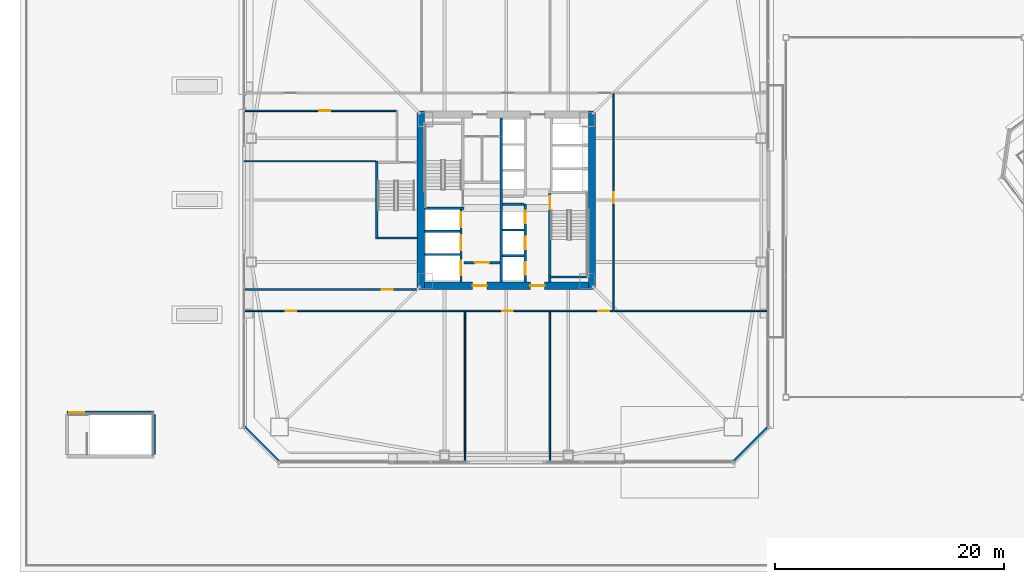
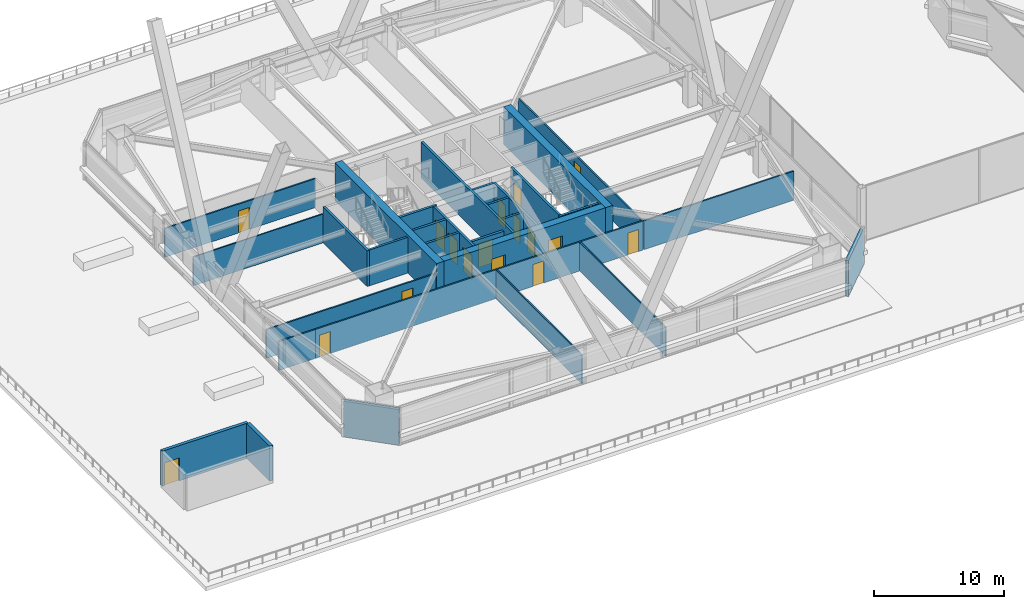
# One storey, part 68 of 83: 30 walls, 17 doors, 17 openings.
"""IFC4 building model written with IfcOpenShell, lengths in metres."""

from ifc_helpers import new_model, si_unit, direction, frame, frame_2d, origin, place, context, subcontext, project, spatial, rectangle, extrude, material, layer, layer_set, type_object, element, fill, save


model = new_model("IFC4")

# Units and contexts
model_context = context("Model", 3, precision=1e-05, world=origin(), true_north=direction((0.0, 1.0)))
body_context = subcontext(model_context, "Body", "Model", "MODEL_VIEW")
ifc_project = project(units=[si_unit("LENGTHUNIT", "METRE"), si_unit("AREAUNIT", "SQUARE_METRE"), si_unit("VOLUMEUNIT", "CUBIC_METRE"), si_unit("PLANEANGLEUNIT", "RADIAN"), si_unit("MASSUNIT", "GRAM", prefix="KILO")], contexts=[model_context])

# Site, building, storey
site_placement = place(None, origin())
site = spatial("IfcSite", under=ifc_project, at=site_placement, CompositionType="ELEMENT")
building_placement = place(site_placement, origin())
building = spatial("IfcBuilding", under=site, at=building_placement, Name="Tashvorn Skyway Center", CompositionType="ELEMENT")
storey_placement = place(building_placement, frame((0.0, 0.0, 24.60009765625)))
storey = spatial("IfcBuildingStorey", under=building, at=storey_placement, Name="L05", CompositionType="ELEMENT", Elevation=24.60009765625)

# Walls
ifc_material_1 = material(Name="Concrete C60/75", Category="concrete")
ifc_layer_1 = layer(ifc_material_1, 0.64990234375)
ifc_layer_set_1 = layer_set([ifc_layer_1], Name="Concrete C60/75")
wall_type_1 = type_object("IfcWallType", Name="WALL-CORE-650", PredefinedType="SHEAR", material=ifc_layer_set_1)
for number, where, z_axis, x_axis, name in (
    (1, (34.52490234375, 24.199951171875, 0.0), (0.0, 0.0, 1.0), (0.0, 1.0, 0.0), "Tower 1 L05 West Core Shear Wall"),
    (2, (49.47509765625, 39.800048828125, 0.0), (0.0, 0.0, 1.0), (0.0, -1.0, 0.0), "Tower 1 L05 East Core Shear Wall"),
):
    element("IfcWall", number, at=place(storey_placement, frame(where, z_axis=z_axis, x_axis=x_axis)), inside=storey, type_object=wall_type_1, Name=name, PredefinedType="SHEAR", context=body_context, shape_type="SweptSolid", body=[
        extrude(rectangle(XDim=15.60009765625, YDim=0.64990234375, at=frame_2d((7.800048828125, 0.0))), origin(), (0.0, 0.0, 1.0), 3.5498046875),
    ])

# Wall, openings, doors
wall_1_placement = place(storey_placement, frame((49.14990234375, 24.52490234375, 0.0), z_axis=(0.0, 0.0, 1.0), x_axis=(-1.0, 0.0, 0.0)))
wall_1 = element("IfcWall", 3, at=wall_1_placement, inside=storey, type_object=wall_type_1, Name="Tower 1 L05 South Core Shear Wall", PredefinedType="SHEAR", context=body_context, shape_type="SweptSolid", body=[
    extrude(rectangle(XDim=14.2998046875, YDim=0.64990234375, at=frame_2d((7.14990234375, 0.0))), origin(), (0.0, 0.0, 1.0), 3.5498046875),
])
opening_1_placement = place(wall_1_placement, frame((8.85009765625, 0.0, 0.0)))
opening_1 = element("IfcOpeningElement", 4, at=opening_1_placement, cuts=wall_1, Name="Opening D-FFL-1250", PredefinedType="OPENING", context=body_context, shape_type="SweptSolid", body=[
    extrude(rectangle(XDim=1.25, YDim=2.25, at=frame_2d((0.625, 1.125))), frame((0.0, 0.3349609375, 0.0), z_axis=(0.0, -1.0, 0.0), x_axis=(1.0, 0.0, 0.0)), (0.0, 0.0, 1.0), 0.669921875),
])
opening_2_placement = place(wall_1_placement, frame((3.800048828125, 0.0, 0.0)))
opening_2 = element("IfcOpeningElement", 5, at=opening_2_placement, cuts=wall_1, Name="Opening D-FFL-1250", PredefinedType="OPENING", context=body_context, shape_type="SweptSolid", body=[
    extrude(rectangle(XDim=1.25, YDim=2.25, at=frame_2d((0.625, 1.125))), frame((0.0, 0.3349609375, 0.0), z_axis=(0.0, -1.0, 0.0), x_axis=(1.0, 0.0, 0.0)), (0.0, 0.0, 1.0), 0.669921875),
])
ifc_material_2 = material(Name="Hollow galvanized steel fire door assembly", Category="steel")
door_type_1 = type_object("IfcDoorType", Name="DOOR-FFL-1250", OperationType="NOTDEFINED", PredefinedType="DOOR", material=ifc_material_2)
door_1_placement = place(opening_1_placement, origin())
door_1 = element("IfcDoor", 6, at=door_1_placement, inside=storey, type_object=door_type_1, Name="Tower 1 L05 Core South Firefighting Exit Door", OperationType="SINGLE_SWING_LEFT", OverallHeight=2.25, OverallWidth=1.25, PredefinedType="DOOR", context=body_context, shape_type="SweptSolid", body=[
    extrude(rectangle(XDim=1.25, YDim=2.25, at=frame_2d((0.625, 1.125))), frame((0.0, 0.02490234375, 0.0), z_axis=(0.0, -1.0, 0.0), x_axis=(1.0, 0.0, 0.0)), (0.0, 0.0, 1.0), 0.050048828125),
])
fill(opening_1, door_1)
door_2_placement = place(opening_2_placement, origin())
door_2 = element("IfcDoor", 7, at=door_2_placement, inside=storey, type_object=door_type_1, Name="Tower 1 L05 Core South Lift Lobby Door", OperationType="SINGLE_SWING_RIGHT", OverallHeight=2.25, OverallWidth=1.25, PredefinedType="DOOR", context=body_context, shape_type="SweptSolid", body=[
    extrude(rectangle(XDim=1.25, YDim=2.25, at=frame_2d((0.625, 1.125))), frame((0.0, 0.02490234375, 0.0), z_axis=(0.0, -1.0, 0.0), x_axis=(1.0, 0.0, 0.0)), (0.0, 0.0, 1.0), 0.050048828125),
])
fill(opening_2, door_2)

# Walls
ifc_material_3 = material(Name="Precast concrete C40/50", Category="concrete")
ifc_layer_2 = layer(ifc_material_3, 0.280029296875)
ifc_layer_set_2 = layer_set([ifc_layer_2], Name="Precast concrete C40/50")
wall_type_2 = type_object("IfcWallType", Name="WALL-EXT-280", PredefinedType="SOLIDWALL", material=ifc_layer_set_2)
for number, where, z_axis, x_axis, name in (
    (8, (22.199951171875, 9.10009765625, 0.0), (0.0, 0.0, 1.0), (-0.707106781187, 0.707106781187, 0.0), "Tower 1 L05 SW Precast Chamfer Wall"),
    (9, (64.89990234375, 12.199951171875, 0.0), (0.0, 0.0, 1.0), (-0.707106781187, -0.707106781187, 0.0), "Tower 1 L05 SE Precast Chamfer Wall"),
):
    element("IfcWall", number, at=place(storey_placement, frame(where, z_axis=z_axis, x_axis=x_axis)), inside=storey, type_object=wall_type_2, Name=name, PredefinedType="SOLIDWALL", context=body_context, shape_type="SweptSolid", body=[
        extrude(rectangle(XDim=4.3837890625, YDim=0.280029296875, at=frame_2d((2.19189453125, 0.0))), origin(), (0.0, 0.0, 1.0), 3.349853515625),
    ])

# Wall, opening, door
ifc_material_4 = material(Name="Concrete C40/50", Category="concrete")
ifc_layer_3 = layer(ifc_material_4, 0.219970703125)
ifc_layer_set_3 = layer_set([ifc_layer_3], Name="Concrete C40/50")
wall_type_3 = type_object("IfcWallType", Name="WALL-FFL-220", PredefinedType="SOLIDWALL", material=ifc_layer_set_3)
wall_2_placement = place(storey_placement, frame((38.300048828125, 26.5400390625, 0.0), z_axis=(0.0, 0.0, 1.0), x_axis=(1.0, 0.0, 0.0)))
wall_2 = element("IfcWall", 10, at=wall_2_placement, inside=storey, type_object=wall_type_3, Name="Tower 1 L05 Firefighting Lobby South Wall", PredefinedType="SOLIDWALL", context=body_context, shape_type="SweptSolid", body=[
    extrude(rectangle(XDim=3.14990234375, YDim=0.219970703125, at=frame_2d((1.574951171875, 0.0))), origin(), (0.0, 0.0, 1.0), 2.702880859375),
])
opening_3_placement = place(wall_2_placement, frame((0.949951171875, 0.0, 0.0)))
opening_3 = element("IfcOpeningElement", 11, at=opening_3_placement, cuts=wall_2, Name="Opening D-FFL-1250", PredefinedType="OPENING", context=body_context, shape_type="SweptSolid", body=[
    extrude(rectangle(XDim=1.25, YDim=2.25, at=frame_2d((0.625, 1.125))), frame((0.0, 0.119873046875, 0.0), z_axis=(0.0, -1.0, 0.0), x_axis=(1.0, 0.0, 0.0)), (0.0, 0.0, 1.0), 0.239990234375),
])
door_3_placement = place(opening_3_placement, origin())
door_3 = element("IfcDoor", 12, at=door_3_placement, inside=storey, type_object=door_type_1, Name="Tower 1 L05 Firefighting Lobby Egress Door", OperationType="SINGLE_SWING_LEFT", OverallHeight=2.25, OverallWidth=1.25, PredefinedType="DOOR", context=body_context, shape_type="SweptSolid", body=[
    extrude(rectangle(XDim=1.25, YDim=2.25, at=frame_2d((0.625, 1.125))), frame((0.0, 0.02490234375, 0.0), z_axis=(0.0, -1.0, 0.0), x_axis=(1.0, 0.0, 0.0)), (0.0, 0.0, 1.0), 0.050048828125),
])
fill(opening_3, door_3)

# Walls
ifc_material_5 = material(Name="Gypsum board on cold-formed steel stud framing", Category="steel")
ifc_layer_4 = layer(ifc_material_5, 0.110107421875)
ifc_layer_set_4 = layer_set([ifc_layer_4], Name="Gypsum board on cold-formed steel stud framing")
wall_type_4 = type_object("IfcWallType", Name="WALL-PART-110", PredefinedType="PARTITIONING", material=ifc_layer_set_4)
for number, where, z_axis, x_axis, name in (
    (13, (38.39990234375, 9.1201171875, 0.0), (0.0, 0.0, 1.0), (0.0, 1.0, 0.0), "Tower 1 L05 South Suite Partition 1"),
    (14, (45.800048828125, 9.1201171875, 0.0), (0.0, 0.0, 1.0), (0.0, 1.0, 0.0), "Tower 1 L05 South Suite Partition 2"),
):
    element("IfcWall", number, at=place(storey_placement, frame(where, z_axis=z_axis, x_axis=x_axis)), inside=storey, type_object=wall_type_4, Name=name, PredefinedType="PARTITIONING", context=body_context, shape_type="SweptSolid", body=[
        extrude(rectangle(XDim=13.1298828125, YDim=0.110107421875, at=frame_2d((6.56494140625, 0.0))), origin(), (0.0, 0.0, 1.0), 2.702880859375),
    ])
wall_3_placement = place(storey_placement, frame((30.60009765625, 35.39990234375, 0.0), z_axis=(0.0, 0.0, 1.0), x_axis=(-1.0, 0.0, 0.0)))
element("IfcWall", 15, at=wall_3_placement, inside=storey, type_object=wall_type_4, Name="Tower 1 L05 West Suite Partition 1", PredefinedType="PARTITIONING", context=body_context, shape_type="SweptSolid", body=[
    extrude(rectangle(XDim=11.47998046875, YDim=0.110107421875, at=frame_2d((5.739990234375, 0.0))), origin(), (0.0, 0.0, 1.0), 2.702880859375),
])

# Wall, openings, doors
ifc_layer_5 = layer(ifc_material_5, 0.135009765625)
ifc_layer_set_5 = layer_set([ifc_layer_5], Name="Gypsum board on cold-formed steel stud framing")
wall_type_5 = type_object("IfcWallType", Name="WALL-PART-135", PredefinedType="PARTITIONING", material=ifc_layer_set_5)
wall_4_placement = place(storey_placement, frame((51.35009765625, 22.330078125, 0.0), z_axis=(0.0, 0.0, 1.0), x_axis=(-1.0, 0.0, 0.0)))
wall_4 = element("IfcWall", 16, at=wall_4_placement, inside=storey, type_object=wall_type_5, Name="Tower 1 L05 South Suite Wall", PredefinedType="PARTITIONING", context=body_context, shape_type="SweptSolid", body=[
    extrude(rectangle(XDim=29.0, YDim=0.135009765625, at=frame_2d((14.5, 0.0))), origin(), (0.0, 0.0, 1.0), 2.702880859375),
])
opening_4_placement = place(wall_4_placement, frame((27.669921875, 0.0, 0.0)))
opening_4 = element("IfcOpeningElement", 17, at=opening_4_placement, cuts=wall_4, Name="Opening D-INT-950", PredefinedType="OPENING", context=body_context, shape_type="SweptSolid", body=[
    extrude(rectangle(XDim=0.949951171875, YDim=2.050048828125, at=frame_2d((0.47509765625, 1.02490234375))), frame((0.0, 0.077392578125, 0.0), z_axis=(0.0, -1.0, 0.0), x_axis=(1.0, 0.0, 0.0)), (0.0, 0.0, 1.0), 0.155029296875),
])
opening_5_placement = place(wall_4_placement, frame((8.77490234375, 0.0, 0.0)))
opening_5 = element("IfcOpeningElement", 18, at=opening_5_placement, cuts=wall_4, Name="Opening D-INT-950", PredefinedType="OPENING", context=body_context, shape_type="SweptSolid", body=[
    extrude(rectangle(XDim=0.949951171875, YDim=2.050048828125, at=frame_2d((0.47509765625, 1.02490234375))), frame((0.0, 0.077392578125, 0.0), z_axis=(0.0, -1.0, 0.0), x_axis=(1.0, 0.0, 0.0)), (0.0, 0.0, 1.0), 0.155029296875),
])
opening_6_placement = place(wall_4_placement, frame((0.3798828125, 0.0, 0.0)))
opening_6 = element("IfcOpeningElement", 19, at=opening_6_placement, cuts=wall_4, Name="Opening D-INT-950", PredefinedType="OPENING", context=body_context, shape_type="SweptSolid", body=[
    extrude(rectangle(XDim=0.949951171875, YDim=2.050048828125, at=frame_2d((0.47509765625, 1.02490234375))), frame((0.0, 0.077392578125, 0.0), z_axis=(0.0, -1.0, 0.0), x_axis=(1.0, 0.0, 0.0)), (0.0, 0.0, 1.0), 0.155029296875),
])
ifc_material_6 = material(Name="Solid-core architectural oak veneer door")
door_type_2 = type_object("IfcDoorType", Name="DOOR-INT-950", OperationType="NOTDEFINED", PredefinedType="DOOR", material=ifc_material_6)
door_4_placement = place(opening_4_placement, origin())
door_4 = element("IfcDoor", 20, at=door_4_placement, inside=storey, type_object=door_type_2, Name="Tower 1 L05 Open Plan Office Door", OperationType="SINGLE_SWING_LEFT", OverallHeight=2.050048828125, OverallWidth=0.949951171875, PredefinedType="DOOR", context=body_context, shape_type="SweptSolid", body=[
    extrude(rectangle(XDim=0.949951171875, YDim=2.050048828125, at=frame_2d((0.47509765625, 1.02490234375))), frame((0.0, 0.02490234375, 0.0), z_axis=(0.0, -1.0, 0.0), x_axis=(1.0, 0.0, 0.0)), (0.0, 0.0, 1.0), 0.050048828125),
])
fill(opening_4, door_4)
door_5_placement = place(opening_5_placement, origin())
door_5 = element("IfcDoor", 21, at=door_5_placement, inside=storey, type_object=door_type_2, Name="Tower 1 L05 Catering Pantry Door", OperationType="SINGLE_SWING_RIGHT", OverallHeight=2.050048828125, OverallWidth=0.949951171875, PredefinedType="DOOR", context=body_context, shape_type="SweptSolid", body=[
    extrude(rectangle(XDim=0.949951171875, YDim=2.050048828125, at=frame_2d((0.47509765625, 1.02490234375))), frame((0.0, 0.02490234375, 0.0), z_axis=(0.0, -1.0, 0.0), x_axis=(1.0, 0.0, 0.0)), (0.0, 0.0, 1.0), 0.050048828125),
])
fill(opening_5, door_5)
door_6_placement = place(opening_6_placement, origin())
door_6 = element("IfcDoor", 22, at=door_6_placement, inside=storey, type_object=door_type_2, Name="Tower 1 L05 Catering Pantry Door", OperationType="SINGLE_SWING_LEFT", OverallHeight=2.050048828125, OverallWidth=0.949951171875, PredefinedType="DOOR", context=body_context, shape_type="SweptSolid", body=[
    extrude(rectangle(XDim=0.949951171875, YDim=2.050048828125, at=frame_2d((0.47509765625, 1.02490234375))), frame((0.0, 0.02490234375, 0.0), z_axis=(0.0, -1.0, 0.0), x_axis=(1.0, 0.0, 0.0)), (0.0, 0.0, 1.0), 0.050048828125),
])
fill(opening_6, door_6)

# Wall
wall_5_placement = place(storey_placement, frame((19.1201171875, 22.330078125, 0.0), z_axis=(0.0, 0.0, 1.0), x_axis=(1.0, 0.0, 0.0)))
element("IfcWall", 23, at=wall_5_placement, inside=storey, type_object=wall_type_5, Name="Tower 1 L05 South-West Suite North Wall", PredefinedType="PARTITIONING", context=body_context, shape_type="SweptSolid", body=[
    extrude(rectangle(XDim=3.22998046875, YDim=0.135009765625, at=frame_2d((1.614990234375, 0.0))), origin(), (0.0, 0.0, 1.0), 2.702880859375),
])

# Wall, opening, door
wall_6_placement = place(storey_placement, frame((51.35009765625, 41.27001953125, 0.0), z_axis=(0.0, 0.0, 1.0), x_axis=(0.0, -1.0, 0.0)))
wall_6 = element("IfcWall", 24, at=wall_6_placement, inside=storey, type_object=wall_type_5, Name="Tower 1 L05 East Inner Suite Wall", PredefinedType="PARTITIONING", context=body_context, shape_type="SweptSolid", body=[
    extrude(rectangle(XDim=18.860107421875, YDim=0.135009765625, at=frame_2d((9.43017578125, 0.0))), origin(), (0.0, 0.0, 1.0), 2.702880859375),
])
opening_7_placement = place(wall_6_placement, frame((8.57861328125, 0.0, 0.0)))
opening_7 = element("IfcOpeningElement", 25, at=opening_7_placement, cuts=wall_6, Name="Opening D-INT-950", PredefinedType="OPENING", context=body_context, shape_type="SweptSolid", body=[
    extrude(rectangle(XDim=0.949951171875, YDim=2.050048828125, at=frame_2d((0.47509765625, 1.02490234375))), frame((0.0, 0.077392578125, 0.0), z_axis=(0.0, -1.0, 0.0), x_axis=(1.0, 0.0, 0.0)), (0.0, 0.0, 1.0), 0.155029296875),
])
door_7_placement = place(opening_7_placement, origin())
door_7 = element("IfcDoor", 26, at=door_7_placement, inside=storey, type_object=door_type_2, Name="Tower 1 L05 Executive Study Lounge Door", OperationType="SINGLE_SWING_RIGHT", OverallHeight=2.050048828125, OverallWidth=0.949951171875, PredefinedType="DOOR", context=body_context, shape_type="SweptSolid", body=[
    extrude(rectangle(XDim=0.949951171875, YDim=2.050048828125, at=frame_2d((0.47509765625, 1.02490234375))), frame((0.0, 0.02490234375, 0.0), z_axis=(0.0, -1.0, 0.0), x_axis=(1.0, 0.0, 0.0)), (0.0, 0.0, 1.0), 0.050048828125),
])
fill(opening_7, door_7)

# Wall
wall_7_placement = place(storey_placement, frame((51.429931640625, 22.330078125, 0.0), z_axis=(0.0, 0.0, 1.0), x_axis=(1.0, 0.0, 0.0)))
element("IfcWall", 27, at=wall_7_placement, inside=storey, type_object=wall_type_5, Name="Tower 1 L05 East Suite South Wall", PredefinedType="PARTITIONING", context=body_context, shape_type="SweptSolid", body=[
    extrude(rectangle(XDim=13.300048828125, YDim=0.135009765625, at=frame_2d((6.64990234375, 0.0))), origin(), (0.0, 0.0, 1.0), 2.702880859375),
])

# Wall, opening, door
wall_8_placement = place(storey_placement, frame((32.449951171875, 39.800048828125, 0.0), z_axis=(0.0, 0.0, 1.0), x_axis=(-1.0, 0.0, 0.0)))
wall_8 = element("IfcWall", 28, at=wall_8_placement, inside=storey, type_object=wall_type_5, Name="Tower 1 L05 West Suite North Wall", PredefinedType="PARTITIONING", context=body_context, shape_type="SweptSolid", body=[
    extrude(rectangle(XDim=13.329833984375, YDim=0.135009765625, at=frame_2d((6.6650390625, 0.0))), origin(), (0.0, 0.0, 1.0), 2.702880859375),
])
opening_8_placement = place(wall_8_placement, frame((5.840087890625, 0.0, 0.0)))
opening_8 = element("IfcOpeningElement", 29, at=opening_8_placement, cuts=wall_8, Name="Opening D-INT-950", PredefinedType="OPENING", context=body_context, shape_type="SweptSolid", body=[
    extrude(rectangle(XDim=0.949951171875, YDim=2.050048828125, at=frame_2d((0.47509765625, 1.02490234375))), frame((0.0, 0.077392578125, 0.0), z_axis=(0.0, -1.0, 0.0), x_axis=(1.0, 0.0, 0.0)), (0.0, 0.0, 1.0), 0.155029296875),
])
door_8_placement = place(opening_8_placement, origin())
door_8 = element("IfcDoor", 30, at=door_8_placement, inside=storey, type_object=door_type_2, Name="Tower 1 L05 Staff Fitness Club Door", OperationType="SINGLE_SWING_LEFT", OverallHeight=2.050048828125, OverallWidth=0.949951171875, PredefinedType="DOOR", context=body_context, shape_type="SweptSolid", body=[
    extrude(rectangle(XDim=0.949951171875, YDim=2.050048828125, at=frame_2d((0.47509765625, 1.02490234375))), frame((0.0, 0.02490234375, 0.0), z_axis=(0.0, -1.0, 0.0), x_axis=(1.0, 0.0, 0.0)), (0.0, 0.0, 1.0), 0.050048828125),
])
fill(opening_8, door_8)

wall_9_placement = place(storey_placement, frame((19.1201171875, 24.199951171875, 0.0), z_axis=(0.0, 0.0, 1.0), x_axis=(1.0, 0.0, 0.0)))
wall_9 = element("IfcWall", 31, at=wall_9_placement, inside=storey, type_object=wall_type_5, Name="Tower 1 L05 West Suite South Wall", PredefinedType="PARTITIONING", context=body_context, shape_type="SweptSolid", body=[
    extrude(rectangle(XDim=15.0, YDim=0.135009765625, at=frame_2d((7.5, 0.0))), origin(), (0.0, 0.0, 1.0), 2.702880859375),
])
opening_9_placement = place(wall_9_placement, frame((12.0048828125, 0.0, 0.0)))
opening_9 = element("IfcOpeningElement", 32, at=opening_9_placement, cuts=wall_9, Name="Opening D-INT-950", PredefinedType="OPENING", context=body_context, shape_type="SweptSolid", body=[
    extrude(rectangle(XDim=0.949951171875, YDim=2.050048828125, at=frame_2d((0.47509765625, 1.02490234375))), frame((0.0, 0.077392578125, 0.0), z_axis=(0.0, -1.0, 0.0), x_axis=(1.0, 0.0, 0.0)), (0.0, 0.0, 1.0), 0.155029296875),
])
door_9_placement = place(opening_9_placement, origin())
door_9 = element("IfcDoor", 33, at=door_9_placement, inside=storey, type_object=door_type_2, Name="Tower 1 L05 Public Restroom Door", OperationType="SINGLE_SWING_RIGHT", OverallHeight=2.050048828125, OverallWidth=0.949951171875, PredefinedType="DOOR", context=body_context, shape_type="SweptSolid", body=[
    extrude(rectangle(XDim=0.949951171875, YDim=2.050048828125, at=frame_2d((0.47509765625, 1.02490234375))), frame((0.0, 0.02490234375, 0.0), z_axis=(0.0, -1.0, 0.0), x_axis=(1.0, 0.0, 0.0)), (0.0, 0.0, 1.0), 0.050048828125),
])
fill(opening_9, door_9)

ifc_layer_6 = layer(ifc_material_3, 0.280029296875)
ifc_layer_set_6 = layer_set([ifc_layer_6], Name="Precast concrete C40/50")
wall_type_6 = type_object("IfcWallType", Name="WALL-PH-280", PredefinedType="SOLIDWALL", material=ifc_layer_set_6)
wall_10_placement = place(storey_placement, frame((3.64990234375, 13.449951171875, 0.0), z_axis=(0.0, 0.0, 1.0), x_axis=(1.0, 0.0, 0.0)))
wall_10 = element("IfcWall", 34, at=wall_10_placement, inside=storey, type_object=wall_type_6, Name="L05 POD1 Stair Penthouse North Wall", PredefinedType="SOLIDWALL", context=body_context, shape_type="SweptSolid", body=[
    extrude(rectangle(XDim=7.60009765625, YDim=0.280029296875, at=frame_2d((3.800048828125, 0.0))), origin(), (0.0, 0.0, 1.0), 3.2998046875),
])
opening_10_placement = place(wall_10_placement, frame((0.199951171875, 0.0, 0.0)))
opening_10 = element("IfcOpeningElement", 35, at=opening_10_placement, cuts=wall_10, Name="Opening D-TER-1300", PredefinedType="OPENING", context=body_context, shape_type="SweptSolid", body=[
    extrude(rectangle(XDim=1.300048828125, YDim=2.14990234375, at=frame_2d((0.64990234375, 1.074951171875))), frame((0.0, 0.14990234375, 0.0), z_axis=(0.0, -1.0, 0.0), x_axis=(1.0, 0.0, 0.0)), (0.0, 0.0, 1.0), 0.300048828125),
])
ifc_material_7 = material(Name="Thermally broken bronze-anodized aluminium 6063-T6", Category="aluminium")
door_type_3 = type_object("IfcDoorType", Name="DOOR-TERR-1300", OperationType="NOTDEFINED", PredefinedType="DOOR", material=ifc_material_7)
door_10_placement = place(opening_10_placement, origin())
door_10 = element("IfcDoor", 36, at=door_10_placement, inside=storey, type_object=door_type_3, Name="L05 POD1 Podium Garden Stair Exit Door", OperationType="SINGLE_SWING_LEFT", OverallHeight=2.14990234375, OverallWidth=1.300048828125, PredefinedType="DOOR", context=body_context, shape_type="SweptSolid", body=[
    extrude(rectangle(XDim=1.300048828125, YDim=2.14990234375, at=frame_2d((0.64990234375, 1.074951171875))), frame((0.0, 0.02490234375, 0.0), z_axis=(0.0, -1.0, 0.0), x_axis=(1.0, 0.0, 0.0)), (0.0, 0.0, 1.0), 0.050048828125),
])
fill(opening_10, door_10)

# Walls
wall_11_placement = place(storey_placement, frame((11.25, 13.31005859375, 0.0), z_axis=(0.0, 0.0, 1.0), x_axis=(0.0, -1.0, 0.0)))
element("IfcWall", 37, at=wall_11_placement, inside=storey, type_object=wall_type_6, Name="L05 POD1 Stair Penthouse East Wall", PredefinedType="SOLIDWALL", context=body_context, shape_type="SweptSolid", body=[
    extrude(rectangle(XDim=3.52001953125, YDim=0.280029296875, at=frame_2d((1.760009765625, 0.0))), origin(), (0.0, 0.0, 1.0), 3.2998046875),
])
ifc_layer_7 = layer(ifc_material_4, 0.199951171875)
ifc_layer_set_7 = layer_set([ifc_layer_7], Name="Concrete C40/50")
wall_type_7 = type_object("IfcWallType", Name="WALL-SHAFT-200", PredefinedType="SOLIDWALL", material=ifc_layer_set_7)
for number, where, z_axis, x_axis, name in (
    (38, (34.85009765625, 27.25, 0.0), (0.0, 0.0, 1.0), (1.0, 0.0, 0.0), "Tower 1 L05 FSAE Shaft Divider"),
    (39, (34.85009765625, 29.280029296875, 0.0), (0.0, 0.0, 1.0), (1.0, 0.0, 0.0), "Tower 1 L05 FSAE Shaft Divider"),
):
    element("IfcWall", number, at=place(storey_placement, frame(where, z_axis=z_axis, x_axis=x_axis)), inside=storey, type_object=wall_type_7, Name=name, PredefinedType="SOLIDWALL", context=body_context, shape_type="SweptSolid", body=[
        extrude(rectangle(XDim=3.099853515625, YDim=0.199951171875, at=frame_2d((1.5498046875, 0.0))), origin(), (0.0, 0.0, 1.0), 3.349853515625),
    ])

# Wall, openings, doors
wall_12_placement = place(storey_placement, frame((43.64990234375, 24.85009765625, 0.0), z_axis=(0.0, 0.0, 1.0), x_axis=(0.0, 1.0, 0.0)))
wall_12 = element("IfcWall", 40, at=wall_12_placement, inside=storey, type_object=wall_type_7, Name="Tower 1 L05 Low-Rise Core Wall", PredefinedType="SOLIDWALL", context=body_context, shape_type="SweptSolid", body=[
    extrude(rectangle(XDim=6.7998046875, YDim=0.199951171875, at=frame_2d((3.39990234375, 0.0))), origin(), (0.0, 0.0, 1.0), 3.349853515625),
])
opening_11_placement = place(wall_12_placement, frame((0.625, 0.0, 0.0)))
opening_11 = element("IfcOpeningElement", 41, at=opening_11_placement, cuts=wall_12, Name="Opening LD-LR-T1-1-L05", PredefinedType="OPENING", context=body_context, shape_type="SweptSolid", body=[
    extrude(rectangle(XDim=1.10009765625, YDim=2.199951171875, at=frame_2d((0.550048828125, 1.10009765625))), frame((0.0, 0.10986328125, 0.0), z_axis=(0.0, -1.0, 0.0), x_axis=(1.0, 0.0, 0.0)), (0.0, 0.0, 1.0), 0.219970703125),
])
opening_12_placement = place(wall_12_placement, frame((2.875, 0.0, 0.0)))
opening_12 = element("IfcOpeningElement", 42, at=opening_12_placement, cuts=wall_12, Name="Opening LD-LR-T1-2-L05", PredefinedType="OPENING", context=body_context, shape_type="SweptSolid", body=[
    extrude(rectangle(XDim=1.10009765625, YDim=2.199951171875, at=frame_2d((0.550048828125, 1.10009765625))), frame((0.0, 0.10986328125, 0.0), z_axis=(0.0, -1.0, 0.0), x_axis=(1.0, 0.0, 0.0)), (0.0, 0.0, 1.0), 0.219970703125),
])
opening_13_placement = place(wall_12_placement, frame((5.125, 0.0, 0.0)))
opening_13 = element("IfcOpeningElement", 43, at=opening_13_placement, cuts=wall_12, Name="Opening LD-LR-T1-3-L05", PredefinedType="OPENING", context=body_context, shape_type="SweptSolid", body=[
    extrude(rectangle(XDim=1.10009765625, YDim=2.199951171875, at=frame_2d((0.550048828125, 1.10009765625))), frame((0.0, 0.10986328125, 0.0), z_axis=(0.0, -1.0, 0.0), x_axis=(1.0, 0.0, 0.0)), (0.0, 0.0, 1.0), 0.219970703125),
])
ifc_material_8 = material(Name="Stainless steel landing door", Category="steel")
door_type_4 = type_object("IfcDoorType", Name="DOOR-LIFT-1100", OperationType="SLIDING_TO_LEFT", PredefinedType="DOOR", material=ifc_material_8)
door_11_placement = place(opening_11_placement, origin())
door_11 = element("IfcDoor", 44, at=door_11_placement, inside=storey, type_object=door_type_4, Name="Lift LR-T1-1 L05 Landing Door", OperationType="SLIDING_TO_LEFT", OverallHeight=2.199951171875, OverallWidth=1.10009765625, PredefinedType="DOOR", context=body_context, shape_type="SweptSolid", body=[
    extrude(rectangle(XDim=1.10009765625, YDim=2.199951171875, at=frame_2d((0.550048828125, 1.10009765625))), frame((0.0, 0.02490234375, 0.0), z_axis=(0.0, -1.0, 0.0), x_axis=(1.0, 0.0, 0.0)), (0.0, 0.0, 1.0), 0.050048828125),
])
fill(opening_11, door_11)
door_12_placement = place(opening_12_placement, origin())
door_12 = element("IfcDoor", 45, at=door_12_placement, inside=storey, type_object=door_type_4, Name="Lift LR-T1-2 L05 Landing Door", OperationType="SLIDING_TO_LEFT", OverallHeight=2.199951171875, OverallWidth=1.10009765625, PredefinedType="DOOR", context=body_context, shape_type="SweptSolid", body=[
    extrude(rectangle(XDim=1.10009765625, YDim=2.199951171875, at=frame_2d((0.550048828125, 1.10009765625))), frame((0.0, 0.02490234375, 0.0), z_axis=(0.0, -1.0, 0.0), x_axis=(1.0, 0.0, 0.0)), (0.0, 0.0, 1.0), 0.050048828125),
])
fill(opening_12, door_12)
door_13_placement = place(opening_13_placement, origin())
door_13 = element("IfcDoor", 46, at=door_13_placement, inside=storey, type_object=door_type_4, Name="Lift LR-T1-3 L05 Landing Door", OperationType="SLIDING_TO_LEFT", OverallHeight=2.199951171875, OverallWidth=1.10009765625, PredefinedType="DOOR", context=body_context, shape_type="SweptSolid", body=[
    extrude(rectangle(XDim=1.10009765625, YDim=2.199951171875, at=frame_2d((0.550048828125, 1.10009765625))), frame((0.0, 0.02490234375, 0.0), z_axis=(0.0, -1.0, 0.0), x_axis=(1.0, 0.0, 0.0)), (0.0, 0.0, 1.0), 0.050048828125),
])
fill(opening_13, door_13)

# Walls
for number, where, z_axis, x_axis, name in (
    (47, (41.669921875, 27.14990234375, 0.0), (0.0, 0.0, 1.0), (1.0, 0.0, 0.0), "Tower 1 L05 Low-Rise Shaft Divider"),
    (48, (41.669921875, 29.39990234375, 0.0), (0.0, 0.0, 1.0), (1.0, 0.0, 0.0), "Tower 1 L05 Low-Rise Shaft Divider"),
    (49, (41.669921875, 31.64990234375, 0.0), (0.0, 0.0, 1.0), (1.0, 0.0, 0.0), "Tower 1 L05 Low-Rise Shaft Divider"),
):
    element("IfcWall", number, at=place(storey_placement, frame(where, z_axis=z_axis, x_axis=x_axis)), inside=storey, type_object=wall_type_7, Name=name, PredefinedType="SOLIDWALL", context=body_context, shape_type="SweptSolid", body=[
        extrude(rectangle(XDim=1.880126953125, YDim=0.199951171875, at=frame_2d((0.93994140625, 0.0))), origin(), (0.0, 0.0, 1.0), 3.349853515625),
    ])
ifc_layer_8 = layer(ifc_material_4, 0.199951171875)
ifc_layer_set_8 = layer_set([ifc_layer_8], Name="Concrete C40/50")
wall_type_8 = type_object("IfcWallType", Name="WALL-STSHF-200", PredefinedType="SHEAR", material=ifc_layer_set_8)
wall_13_placement = place(storey_placement, frame((34.85009765625, 31.300048828125, 0.0), z_axis=(0.0, 0.0, 1.0), x_axis=(1.0, 0.0, 0.0)))
element("IfcWall", 50, at=wall_13_placement, inside=storey, type_object=wall_type_8, Name="Tower 1 L05 Stair 1 South Wall", PredefinedType="SHEAR", context=body_context, shape_type="SweptSolid", body=[
    extrude(rectangle(XDim=3.449951171875, YDim=0.199951171875, at=frame_2d((1.72509765625, 0.0))), origin(), (0.0, 0.0, 1.0), 3.349853515625),
])

# Wall, opening, door
wall_14_placement = place(storey_placement, frame((45.800048828125, 32.800048828125, 0.0), z_axis=(0.0, 0.0, 1.0), x_axis=(0.0, -1.0, 0.0)))
wall_14 = element("IfcWall", 51, at=wall_14_placement, inside=storey, type_object=wall_type_8, Name="Tower 1 L05 Stair 2 Enclosure Wall", PredefinedType="SHEAR", context=body_context, shape_type="SweptSolid", body=[
    extrude(rectangle(XDim=7.949951171875, YDim=0.199951171875, at=frame_2d((3.97509765625, 0.0))), origin(), (0.0, 0.0, 1.0), 3.349853515625),
])
opening_14_placement = place(wall_14_placement, frame((0.449951171875, 0.0, 0.0)))
opening_14 = element("IfcOpeningElement", 52, at=opening_14_placement, cuts=wall_14, Name="Opening D-ST-1150", PredefinedType="OPENING", context=body_context, shape_type="SweptSolid", body=[
    extrude(rectangle(XDim=1.14990234375, YDim=2.199951171875, at=frame_2d((0.574951171875, 1.10009765625))), frame((0.0, 0.10986328125, 0.0), z_axis=(0.0, -1.0, 0.0), x_axis=(1.0, 0.0, 0.0)), (0.0, 0.0, 1.0), 0.219970703125),
])
door_type_5 = type_object("IfcDoorType", Name="DOOR-STAIR-1150", OperationType="NOTDEFINED", PredefinedType="DOOR", material=ifc_material_2)
door_14_placement = place(opening_14_placement, origin())
door_14 = element("IfcDoor", 53, at=door_14_placement, inside=storey, type_object=door_type_5, Name="Tower 1 L05 Exit Stair 2 Door", OperationType="SINGLE_SWING_RIGHT", OverallHeight=2.199951171875, OverallWidth=1.14990234375, PredefinedType="DOOR", context=body_context, shape_type="SweptSolid", body=[
    extrude(rectangle(XDim=1.14990234375, YDim=2.199951171875, at=frame_2d((0.574951171875, 1.10009765625))), frame((0.0, 0.02490234375, 0.0), z_axis=(0.0, -1.0, 0.0), x_axis=(1.0, 0.0, 0.0)), (0.0, 0.0, 1.0), 0.050048828125),
])
fill(opening_14, door_14)

# Walls
wall_15_placement = place(storey_placement, frame((45.699951171875, 25.300048828125, 0.0), z_axis=(0.0, 0.0, 1.0), x_axis=(1.0, 0.0, 0.0)))
element("IfcWall", 54, at=wall_15_placement, inside=storey, type_object=wall_type_8, Name="Tower 1 L05 Stair 2 South Wall", PredefinedType="SHEAR", context=body_context, shape_type="SweptSolid", body=[
    extrude(rectangle(XDim=3.449951171875, YDim=0.199951171875, at=frame_2d((1.72509765625, 0.0))), origin(), (0.0, 0.0, 1.0), 3.349853515625),
])
wall_16_placement = place(storey_placement, frame((41.56005859375, 24.85009765625, 0.0), z_axis=(0.0, 0.0, 1.0), x_axis=(0.0, 1.0, 0.0)))
element("IfcWall", 55, at=wall_16_placement, inside=storey, type_object=wall_type_8, Name="Tower 1 L05 Firefighting Lobby East Smoke Barrier", PredefinedType="SHEAR", context=body_context, shape_type="SweptSolid", body=[
    extrude(rectangle(XDim=14.2998046875, YDim=0.199951171875, at=frame_2d((7.14990234375, 0.0))), origin(), (0.0, 0.0, 1.0), 3.349853515625),
])

# Wall, openings, doors
wall_17_placement = place(storey_placement, frame((38.050048828125, 24.85009765625, 0.0), z_axis=(0.0, 0.0, 1.0), x_axis=(0.0, 1.0, 0.0)))
wall_17 = element("IfcWall", 56, at=wall_17_placement, inside=storey, type_object=wall_type_8, Name="Tower 1 L05 FSAE and Goods Shaft Front Wall", PredefinedType="SHEAR", context=body_context, shape_type="SweptSolid", body=[
    extrude(rectangle(XDim=6.349853515625, YDim=0.199951171875, at=frame_2d((3.1748046875, 0.0))), origin(), (0.0, 0.0, 1.0), 3.349853515625),
])
opening_15_placement = place(wall_17_placement, frame((4.77490234375, 0.0, 0.0)))
opening_15 = element("IfcOpeningElement", 57, at=opening_15_placement, cuts=wall_17, Name="Opening LD-FF-T1-1-L05", PredefinedType="OPENING", context=body_context, shape_type="SweptSolid", body=[
    extrude(rectangle(XDim=1.300048828125, YDim=2.25, at=frame_2d((0.64990234375, 1.125))), frame((0.0, 0.10986328125, 0.0), z_axis=(0.0, -1.0, 0.0), x_axis=(1.0, 0.0, 0.0)), (0.0, 0.0, 1.0), 0.219970703125),
])
opening_16_placement = place(wall_17_placement, frame((2.77490234375, 0.0, 0.0)))
opening_16 = element("IfcOpeningElement", 58, at=opening_16_placement, cuts=wall_17, Name="Opening LD-FF-T1-2-L05", PredefinedType="OPENING", context=body_context, shape_type="SweptSolid", body=[
    extrude(rectangle(XDim=1.300048828125, YDim=2.25, at=frame_2d((0.64990234375, 1.125))), frame((0.0, 0.10986328125, 0.0), z_axis=(0.0, -1.0, 0.0), x_axis=(1.0, 0.0, 0.0)), (0.0, 0.0, 1.0), 0.219970703125),
])
opening_17_placement = place(wall_17_placement, frame((0.574951171875, 0.0, 0.0)))
opening_17 = element("IfcOpeningElement", 59, at=opening_17_placement, cuts=wall_17, Name="Opening LD-GD-T1-1-L05", PredefinedType="OPENING", context=body_context, shape_type="SweptSolid", body=[
    extrude(rectangle(XDim=1.300048828125, YDim=2.25, at=frame_2d((0.64990234375, 1.125))), frame((0.0, 0.10986328125, 0.0), z_axis=(0.0, -1.0, 0.0), x_axis=(1.0, 0.0, 0.0)), (0.0, 0.0, 1.0), 0.219970703125),
])
ifc_material_9 = material(Name="Stainless steel heavy-duty landing door", Category="steel")
door_type_6 = type_object("IfcDoorType", Name="DOOR-LIFT-1300", OperationType="SLIDING_TO_LEFT", PredefinedType="DOOR", material=ifc_material_9)
door_15_placement = place(opening_15_placement, origin())
door_15 = element("IfcDoor", 60, at=door_15_placement, inside=storey, type_object=door_type_6, Name="Lift FF-T1-1 L05 Landing Door", OperationType="SLIDING_TO_LEFT", OverallHeight=2.25, OverallWidth=1.300048828125, PredefinedType="DOOR", context=body_context, shape_type="SweptSolid", body=[
    extrude(rectangle(XDim=1.300048828125, YDim=2.25, at=frame_2d((0.64990234375, 1.125))), frame((0.0, 0.02490234375, 0.0), z_axis=(0.0, -1.0, 0.0), x_axis=(1.0, 0.0, 0.0)), (0.0, 0.0, 1.0), 0.050048828125),
])
fill(opening_15, door_15)
door_16_placement = place(opening_16_placement, origin())
door_16 = element("IfcDoor", 61, at=door_16_placement, inside=storey, type_object=door_type_6, Name="Lift FF-T1-2 L05 Landing Door", OperationType="SLIDING_TO_LEFT", OverallHeight=2.25, OverallWidth=1.300048828125, PredefinedType="DOOR", context=body_context, shape_type="SweptSolid", body=[
    extrude(rectangle(XDim=1.300048828125, YDim=2.25, at=frame_2d((0.64990234375, 1.125))), frame((0.0, 0.02490234375, 0.0), z_axis=(0.0, -1.0, 0.0), x_axis=(1.0, 0.0, 0.0)), (0.0, 0.0, 1.0), 0.050048828125),
])
fill(opening_16, door_16)
door_17_placement = place(opening_17_placement, origin())
door_17 = element("IfcDoor", 62, at=door_17_placement, inside=storey, type_object=door_type_6, Name="Lift GD-T1-1 L05 Landing Door", OperationType="SLIDING_TO_LEFT", OverallHeight=2.25, OverallWidth=1.300048828125, PredefinedType="DOOR", context=body_context, shape_type="SweptSolid", body=[
    extrude(rectangle(XDim=1.300048828125, YDim=2.25, at=frame_2d((0.64990234375, 1.125))), frame((0.0, 0.02490234375, 0.0), z_axis=(0.0, -1.0, 0.0), x_axis=(1.0, 0.0, 0.0)), (0.0, 0.0, 1.0), 0.050048828125),
])
fill(opening_17, door_17)

# Walls
wall_18_placement = place(storey_placement, frame((30.699951171875, 28.60009765625, 0.0), z_axis=(0.0, 0.0, 1.0), x_axis=(0.0, 1.0, 0.0)))
element("IfcWall", 63, at=wall_18_placement, inside=storey, type_object=wall_type_8, Name="Tower 1 L05 Stair 3 Outer Wall", PredefinedType="SHEAR", context=body_context, shape_type="SweptSolid", body=[
    extrude(rectangle(XDim=6.7998046875, YDim=0.199951171875, at=frame_2d((3.39990234375, 0.0))), origin(), (0.0, 0.0, 1.0), 3.349853515625),
])
wall_19_placement = place(storey_placement, frame((30.800048828125, 28.699951171875, 0.0), z_axis=(0.0, 0.0, 1.0), x_axis=(1.0, 0.0, 0.0)))
element("IfcWall", 64, at=wall_19_placement, inside=storey, type_object=wall_type_8, Name="Tower 1 L05 Stair 3 South Wall", PredefinedType="SHEAR", context=body_context, shape_type="SweptSolid", body=[
    extrude(rectangle(XDim=3.39990234375, YDim=0.199951171875, at=frame_2d((1.699951171875, 0.0))), origin(), (0.0, 0.0, 1.0), 3.349853515625),
])

save(model, "model.ifc")
